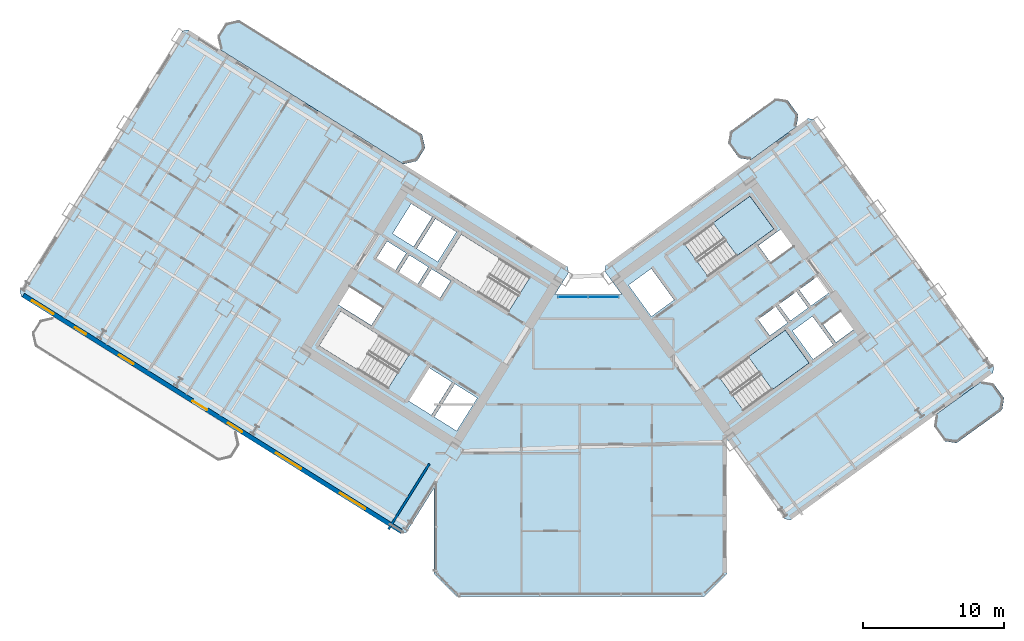
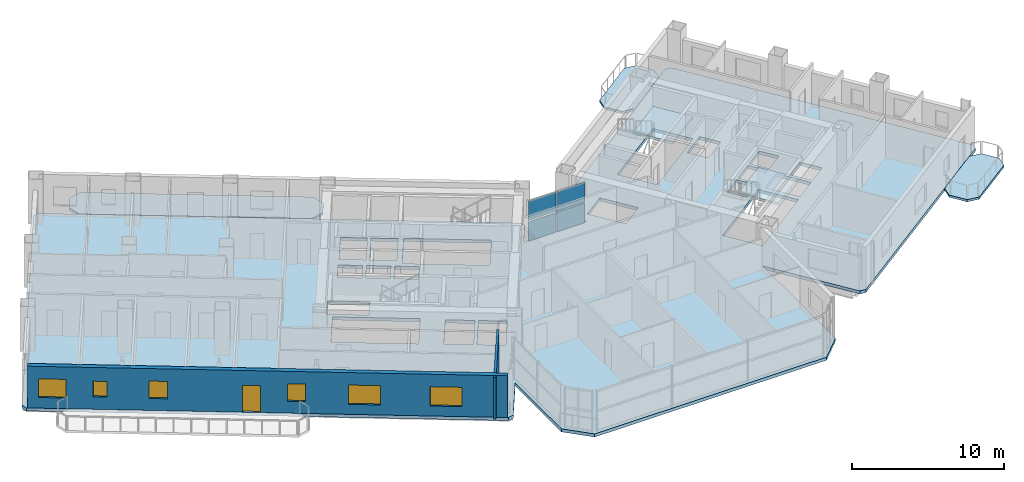
# One storey, part 14 of 24: 6 slabs, 6 windows, 4 plates, 2 walls, 1 door, 7 openings, 3 elements without a shape of their own.
"""IFC4 building model written with IfcOpenShell, lengths in metres."""

from ifc_helpers import new_model, si_unit, direction, frame, frame_2d, origin, origin_2d, place, context, subcontext, project, spatial, polyline, rectangle, outline, extrude, source, transform, mapped, material, layer, layer_set, type_object, element, fill, aggregate, save


model = new_model("IFC4")

# Units and contexts
model_context = context("Model", 3, precision=1e-05, world=origin(), true_north=direction((0.0, 1.0)))
body_context = subcontext(model_context, "Body", "Model", "MODEL_VIEW")
ifc_project = project(units=[si_unit("LENGTHUNIT", "METRE"), si_unit("AREAUNIT", "SQUARE_METRE"), si_unit("VOLUMEUNIT", "CUBIC_METRE"), si_unit("PLANEANGLEUNIT", "RADIAN"), si_unit("MASSUNIT", "GRAM", prefix="KILO")], contexts=[model_context])

# Site, building, storey
site_placement = place(None, origin())
site = spatial("IfcSite", under=ifc_project, at=site_placement, CompositionType="ELEMENT")
building_placement = place(site_placement, origin())
building = spatial("IfcBuilding", under=site, at=building_placement, Name="Tlacorven Tower", CompositionType="ELEMENT")
storey_placement = place(building_placement, frame((0.0, 0.0, 60.0)))
storey = spatial("IfcBuildingStorey", under=building, at=storey_placement, Name="L15", CompositionType="ELEMENT", Elevation=60.0)

# Slabs
ifc_material_1 = material(Name="Precast concrete C45/55", Category="concrete")
ifc_layer_1 = layer(ifc_material_1, 0.179931640625)
ifc_layer_set_1 = layer_set([ifc_layer_1], Name="Precast concrete C45/55")
slab_type_1 = type_object("IfcSlabType", Name="SL-BAL-180", PredefinedType="USERDEFINED", material=ifc_layer_set_1)
slab_1_placement = place(storey_placement, frame((0.0, 0.0, -0.179931640625)))
element("IfcSlab", 1, at=slab_1_placement, inside=storey, type_object=slab_type_1, Name="L15 West Wing Balcony Ribbon IN", ObjectType="BALCONY SLAB", PredefinedType="USERDEFINED", context=body_context, shape_type="SweptSolid", body=[
    extrude(outline(polyline([(30.756591796875, 34.57763671875), (17.781494140625, 42.685546875), (16.81689453125, 42.462890625), (16.236572265625, 41.5341796875), (16.459228515625, 40.569580078125), (29.434326171875, 32.4619140625), (30.39892578125, 32.6845703125), (30.979248046875, 33.613037109375), (30.756591796875, 34.57763671875)])), origin(), (0.0, 0.0, 1.0), 0.179931640625),
])
slab_2_placement = place(storey_placement, frame((0.0, 0.0, -0.179931640625)))
element("IfcSlab", 2, at=slab_2_placement, inside=storey, type_object=slab_type_1, Name="L15 East Wing Balcony Ribbon OUT", ObjectType="BALCONY SLAB", PredefinedType="USERDEFINED", context=body_context, shape_type="SweptSolid", body=[
    extrude(outline(polyline([(68.669921875, 12.678955078125), (71.906005859375, 15.0302734375), (72.03857421875, 15.8681640625), (71.27734375, 16.916015625), (70.439453125, 17.048583984375), (67.203369140625, 14.697509765625), (67.070556640625, 13.859375), (67.831787109375, 12.811767578125), (68.669921875, 12.678955078125)])), origin(), (0.0, 0.0, 1.0), 0.179931640625),
])
slab_3_placement = place(storey_placement, frame((0.0, 0.0, -0.179931640625)))
element("IfcSlab", 3, at=slab_3_placement, inside=storey, type_object=slab_type_1, Name="L15 East Wing Balcony Ribbon IN", ObjectType="BALCONY SLAB", PredefinedType="USERDEFINED", context=body_context, shape_type="SweptSolid", body=[
    extrude(outline(polyline([(54.078125, 32.762939453125), (57.314208984375, 35.114013671875), (57.44677734375, 35.9521484375), (56.685791015625, 36.999755859375), (55.84765625, 37.132568359375), (52.611572265625, 34.78125), (52.478759765625, 33.943359375), (53.239990234375, 32.8955078125), (54.078125, 32.762939453125)])), origin(), (0.0, 0.0, 1.0), 0.179931640625),
])

# Stair, slab
ifc_material_2 = material(Name="Concrete C40/50", Category="concrete")
stair_type = type_object("IfcStairType", Name="ST-CORE-DLG", PredefinedType="HALF_TURN_STAIR", material=ifc_material_2)
stair_1_placement = place(storey_placement, origin())
stair_1 = element("IfcStair", 4, at=stair_1_placement, inside=storey, type_object=stair_type, Name="L15 Protected Exit Stair East 1", PredefinedType="HALF_TURN_STAIR")
ifc_layer_2 = layer(ifc_material_2, 0.199951171875)
ifc_layer_set_2 = layer_set([ifc_layer_2], Name="Concrete C40/50")
slab_type_2 = type_object("IfcSlabType", Name="SL-LND-200", PredefinedType="LANDING", material=ifc_layer_set_2)
slab_4_placement = place(storey_placement, frame((0.0, 0.0, 1.60009765625)))
slab_4 = element("IfcSlab", 5, at=slab_4_placement, type_object=slab_type_2, Name="ST-E1 landing 1", PredefinedType="LANDING", context=body_context, shape_type="SweptSolid", body=[
    extrude(outline(polyline([(53.09765625, 25.962890625), (55.7109375, 27.861572265625), (54.01806640625, 30.19140625), (51.40478515625, 28.29296875), (53.09765625, 25.962890625)])), origin(), (0.0, 0.0, 1.0), 0.199951171875),
])
aggregate(stair_1, [slab_4])

stair_2_placement = place(storey_placement, origin())
stair_2 = element("IfcStair", 6, at=stair_2_placement, inside=storey, type_object=stair_type, Name="L15 Protected Exit Stair East 2", PredefinedType="HALF_TURN_STAIR")
slab_5_placement = place(storey_placement, frame((0.0, 0.0, 1.60009765625)))
slab_5 = element("IfcSlab", 7, at=slab_5_placement, type_object=slab_type_2, Name="ST-E2 landing 1", PredefinedType="LANDING", context=body_context, shape_type="SweptSolid", body=[
    extrude(outline(polyline([(55.601806640625, 16.4599609375), (58.21484375, 18.3583984375), (56.52197265625, 20.6884765625), (53.908935546875, 18.789794921875), (55.601806640625, 16.4599609375)])), origin(), (0.0, 0.0, 1.0), 0.199951171875),
])
aggregate(stair_2, [slab_5])

# Slab
ifc_layer_3 = layer(ifc_material_2, 0.25)
ifc_layer_set_3 = layer_set([ifc_layer_3], Name="Concrete C40/50")
slab_type_3 = type_object("IfcSlabType", Name="SL-TWR-250", PredefinedType="FLOOR", material=ifc_layer_set_3)
slab_6_placement = place(storey_placement, frame((0.0, 0.0, -0.25)))
element("IfcSlab", 8, at=slab_6_placement, inside=storey, type_object=slab_type_3, Name="L15 Boomerang Tower Floor Slab", PredefinedType="FLOOR", context=body_context, shape_type="SweptSolid", body=[
    extrude(outline(polyline([(52.39990234375, 3.39990234375), (50.800048828125, 1.800048828125), (33.199951171875, 1.800048828125), (31.60009765625, 3.39990234375), (31.60009765625, 9.470703125), (29.652587890625, 6.35400390625), (29.2392578125, 6.258544921875), (2.339111328125, 23.067626953125), (2.24365234375, 23.481201171875), (13.75341796875, 41.900634765625), (14.1669921875, 41.99609375), (41.06689453125, 25.18701171875), (41.162353515625, 24.773681640625), (40.178955078125, 23.199951171875), (44.932373046875, 23.199951171875), (43.723876953125, 24.86328125), (43.790283203125, 25.2822265625), (58.1259765625, 35.69775390625), (58.545166015625, 35.63134765625), (71.311767578125, 18.0595703125), (71.245361328125, 17.640380859375), (56.90966796875, 7.224853515625), (56.49072265625, 7.291259765625), (52.39990234375, 12.921630859375), (52.39990234375, 3.39990234375)]), holes=[polyline([(29.865478515625, 18.979736328125), (24.9892578125, 22.02685546875), (23.463134765625, 19.58447265625), (28.33935546875, 16.537353515625), (29.865478515625, 18.979736328125)]), polyline([(38.4169921875, 24.4375), (33.540771484375, 27.484375), (32.0146484375, 25.0419921875), (36.890869140625, 21.9951171875), (38.4169921875, 24.4375)]), polyline([(51.05908203125, 24.481689453125), (55.7109375, 27.861572265625), (54.01806640625, 30.19140625), (49.3662109375, 26.811767578125), (51.05908203125, 24.481689453125)]), polyline([(53.56298828125, 14.978759765625), (58.21484375, 18.3583984375), (56.52197265625, 20.6884765625), (51.8701171875, 17.30859375), (53.56298828125, 14.978759765625)]), polyline([(34.682373046875, 15.87548828125), (33.088134765625, 16.871826171875), (31.62548828125, 14.531005859375), (33.2197265625, 13.534912109375), (34.682373046875, 15.87548828125)]), polyline([(32.884521484375, 16.9990234375), (31.2392578125, 18.02685546875), (29.77685546875, 15.686279296875), (31.421875, 14.658203125), (32.884521484375, 16.9990234375)]), polyline([(47.0234375, 21.648681640625), (48.6416015625, 22.82421875), (47.019287109375, 25.05712890625), (45.401123046875, 23.881591796875), (47.0234375, 21.648681640625)]), polyline([(33.197265625, 27.65185546875), (31.704833984375, 28.58447265625), (30.3798828125, 26.46435546875), (31.87255859375, 25.53173828125), (33.197265625, 27.65185546875)]), polyline([(31.484375, 28.722412109375), (29.99169921875, 29.655029296875), (28.6669921875, 27.534912109375), (30.159423828125, 26.602294921875), (31.484375, 28.722412109375)]), polyline([(32.794921875, 24.17724609375), (31.43798828125, 25.025146484375), (30.685546875, 23.82080078125), (32.042236328125, 22.972900390625), (32.794921875, 24.17724609375)]), polyline([(31.217529296875, 25.162841796875), (29.860595703125, 26.0107421875), (29.108154296875, 24.806396484375), (30.465087890625, 23.958740234375), (31.217529296875, 25.162841796875)]), polyline([(29.64013671875, 26.1484375), (28.283203125, 26.996337890625), (27.53076171875, 25.792236328125), (28.8876953125, 24.9443359375), (29.64013671875, 26.1484375)]), polyline([(55.427734375, 20.288818359375), (56.68994140625, 21.205810546875), (55.855224609375, 22.354736328125), (54.59326171875, 21.437744140625), (55.427734375, 20.288818359375)]), polyline([(56.884033203125, 21.346923828125), (58.146240234375, 22.263916015625), (57.3115234375, 23.41259765625), (56.04931640625, 22.495849609375), (56.884033203125, 21.346923828125)]), polyline([(58.34033203125, 22.405029296875), (59.602294921875, 23.322021484375), (58.767578125, 24.470703125), (57.505615234375, 23.5537109375), (58.34033203125, 22.405029296875)]), polyline([(58.498779296875, 18.614013671875), (59.922607421875, 19.648681640625), (58.453125, 21.671142578125), (57.029296875, 20.63671875), (58.498779296875, 18.614013671875)]), polyline([(27.96142578125, 22.2919921875), (25.603759765625, 23.76513671875), (24.80908203125, 22.4931640625), (27.16650390625, 21.02001953125), (27.96142578125, 22.2919921875)]), polyline([(55.490478515625, 25.4765625), (57.092529296875, 26.640380859375), (56.210693359375, 27.85400390625), (54.60888671875, 26.690185546875), (55.490478515625, 25.4765625)]), polyline([(60.12109375, 19.817626953125), (61.38330078125, 20.734619140625), (60.45458984375, 22.012939453125), (59.192626953125, 21.095947265625), (60.12109375, 19.817626953125)])]), origin(), (0.0, 0.0, 1.0), 0.25),
])

# Curtain wall, plates
ifc_material_3 = material(Name="Dark solar low-E double glazing in aluminium frame", Category="aluminium")
curtain_wall_type = type_object("IfcCurtainWallType", Name="CW-TWR-LOW", PredefinedType="USERDEFINED", material=ifc_material_3)
curtain_wall_placement = place(storey_placement, origin())
curtain_wall = element("IfcCurtainWall", 9, at=curtain_wall_placement, inside=storey, type_object=curtain_wall_type, Name="L15 CW-TWR-LOW Curtain Wall 86", ObjectType="UNITISED CURTAIN WALL", PredefinedType="USERDEFINED")
ifc_material_4 = material(Name="Dark solar double low-E glazing", Category="glass")
ifc_layer_4 = layer(ifc_material_4, 0.031982421875)
ifc_layer_set_4 = layer_set([ifc_layer_4], Name="Dark solar double low-E glazing")
plate_type = type_object("IfcPlateType", Name="CWP-02", PredefinedType="CURTAIN_PANEL", material=ifc_layer_set_4)
shared_shape_1 = source(origin(), body_context, "Body", "SweptSolid", [
    extrude(rectangle(XDim=2.110595703125, YDim=0.031982421875, at=origin_2d()), origin(), (0.0, 0.0, 1.0), 1.552978515625),
])
plate_1_placement = place(storey_placement, frame((41.47802734375, 23.0400390625, 0.06103515625), z_axis=(0.0, 0.0, 1.0), x_axis=(1.0, 0.0, 0.0)))
plate_1 = element("IfcPlate", 10, at=plate_1_placement, type_object=plate_type, Name="CW-L15-086 Glazing Panel 1", PredefinedType="CURTAIN_PANEL", context=body_context, shape_type="MappedRepresentation", body=[
    mapped(shared_shape_1, transform((0.0, 0.0, 0.0), scale=1.0)),
])
plate_2_placement = place(storey_placement, frame((41.47802734375, 23.0400390625, 1.73583984375), z_axis=(0.0, 0.0, 1.0), x_axis=(1.0, 0.0, 0.0)))
plate_2 = element("IfcPlate", 11, at=plate_2_placement, type_object=plate_type, Name="CW-L15-086 Glazing Panel 2", PredefinedType="CURTAIN_PANEL", context=body_context, shape_type="MappedRepresentation", body=[
    mapped(shared_shape_1, transform((0.0, 0.0, 0.0), scale=1.0)),
])
plate_3_placement = place(storey_placement, frame((43.640625, 23.0400390625, 0.06103515625), z_axis=(0.0, 0.0, 1.0), x_axis=(1.0, 0.0, 0.0)))
plate_3 = element("IfcPlate", 12, at=plate_3_placement, type_object=plate_type, Name="CW-L15-086 Glazing Panel 3", PredefinedType="CURTAIN_PANEL", context=body_context, shape_type="MappedRepresentation", body=[
    mapped(shared_shape_1, transform((0.0, 0.0, 0.0), scale=1.0)),
])
plate_4_placement = place(storey_placement, frame((43.640625, 23.0400390625, 1.73583984375), z_axis=(0.0, 0.0, 1.0), x_axis=(1.0, 0.0, 0.0)))
plate_4 = element("IfcPlate", 13, at=plate_4_placement, type_object=plate_type, Name="CW-L15-086 Glazing Panel 4", PredefinedType="CURTAIN_PANEL", context=body_context, shape_type="MappedRepresentation", body=[
    mapped(shared_shape_1, transform((0.0, 0.0, 0.0), scale=1.0)),
])
aggregate(curtain_wall, [plate_1, plate_2, plate_3, plate_4])

# Wall
ifc_material_5 = material(Name="Gypsum plasterboard acoustic partition", Category="gypsum")
ifc_layer_5 = layer(ifc_material_5, 0.159912109375)
ifc_layer_set_5 = layer_set([ifc_layer_5], Name="Gypsum plasterboard acoustic partition")
wall_type_1 = type_object("IfcWallType", Name="WL-DEM-160", PredefinedType="PARTITIONING", material=ifc_layer_set_5)
wall_1_placement = place(storey_placement, frame((31.282470703125, 11.2080078125, 0.0), z_axis=(0.0, 0.0, 1.0), x_axis=(-0.529938869374, -0.84803584519, 0.0)))
element("IfcWall", 14, at=wall_1_placement, inside=storey, type_object=wall_type_1, Name="L15 WC West Throat Wall", PredefinedType="PARTITIONING", context=body_context, shape_type="SweptSolid", body=[
    extrude(rectangle(XDim=5.47998046875, YDim=0.159912109375, at=frame_2d((2.739990234375, 0.0))), origin(), (0.0, 0.0, 1.0), 3.340087890625),
])

# Wall, openings, door, windows
ifc_layer_6 = layer(ifc_material_1, 0.320068359375)
ifc_layer_set_6 = layer_set([ifc_layer_6], Name="Precast concrete C45/55")
wall_type_2 = type_object("IfcWallType", Name="WL-EXT-320", PredefinedType="STANDARD", material=ifc_layer_set_6)
wall_2_placement = place(storey_placement, frame((29.267822265625, 6.429443359375, 0.0), z_axis=(0.0, 0.0, 1.0), x_axis=(-0.848049971435, 0.529916263149, 0.0)))
wall_2 = element("IfcWall", 15, at=wall_2_placement, inside=storey, type_object=wall_type_2, Name="L15 Masonry-Frame Recessed Facade Wall 1", PredefinedType="STANDARD", context=body_context, shape_type="SweptSolid", body=[
    extrude(rectangle(XDim=31.587646484375, YDim=0.320068359375, at=frame_2d((15.7939453125, 0.0))), origin(), (0.0, 0.0, 1.0), 3.35009765625),
])
opening_1_placement = place(wall_2_placement, frame((16.234619140625, 0.0, 0.0)))
opening_1 = element("IfcOpeningElement", 16, at=opening_1_placement, cuts=wall_2, Name="Opening D05", PredefinedType="OPENING", context=body_context, shape_type="SweptSolid", body=[
    extrude(rectangle(XDim=1.199951171875, YDim=2.14990234375, at=frame_2d((0.60009765625, 1.074951171875))), frame((0.0, 0.169921875, 0.0), z_axis=(0.0, -1.0, 0.0), x_axis=(1.0, 0.0, 0.0)), (0.0, 0.0, 1.0), 0.340087890625),
])
opening_2_placement = place(wall_2_placement, frame((2.98876953125, 0.0, 0.800048828125)))
opening_2 = element("IfcOpeningElement", 17, at=opening_2_placement, cuts=wall_2, Name="Opening WN04", PredefinedType="OPENING", context=body_context, shape_type="SweptSolid", body=[
    extrude(rectangle(XDim=2.10009765625, YDim=1.550048828125, at=frame_2d((1.050048828125, 0.77490234375))), frame((0.0, 0.169921875, 0.0), z_axis=(0.0, -1.0, 0.0), x_axis=(1.0, 0.0, 0.0)), (0.0, 0.0, 1.0), 0.340087890625),
])
opening_3_placement = place(wall_2_placement, frame((8.358642578125, 0.0, 0.800048828125)))
opening_3 = element("IfcOpeningElement", 18, at=opening_3_placement, cuts=wall_2, Name="Opening WN04", PredefinedType="OPENING", context=body_context, shape_type="SweptSolid", body=[
    extrude(rectangle(XDim=2.10009765625, YDim=1.550048828125, at=frame_2d((1.050048828125, 0.77490234375))), frame((0.0, 0.169921875, 0.0), z_axis=(0.0, -1.0, 0.0), x_axis=(1.0, 0.0, 0.0)), (0.0, 0.0, 1.0), 0.340087890625),
])
opening_4_placement = place(wall_2_placement, frame((13.28369140625, 0.0, 0.949951171875)))
opening_4 = element("IfcOpeningElement", 19, at=opening_4_placement, cuts=wall_2, Name="Opening WN03", PredefinedType="OPENING", context=body_context, shape_type="SweptSolid", body=[
    extrude(rectangle(XDim=1.199951171875, YDim=1.39990234375, at=frame_2d((0.60009765625, 0.699951171875))), frame((0.0, 0.169921875, 0.0), z_axis=(0.0, -1.0, 0.0), x_axis=(1.0, 0.0, 0.0)), (0.0, 0.0, 1.0), 0.340087890625),
])
opening_5_placement = place(wall_2_placement, frame((22.374267578125, 0.0, 0.949951171875)))
opening_5 = element("IfcOpeningElement", 20, at=opening_5_placement, cuts=wall_2, Name="Opening WN03", PredefinedType="OPENING", context=body_context, shape_type="SweptSolid", body=[
    extrude(rectangle(XDim=1.199951171875, YDim=1.39990234375, at=frame_2d((0.60009765625, 0.699951171875))), frame((0.0, 0.169921875, 0.0), z_axis=(0.0, -1.0, 0.0), x_axis=(1.0, 0.0, 0.0)), (0.0, 0.0, 1.0), 0.340087890625),
])
opening_6_placement = place(wall_2_placement, frame((26.3505859375, 0.0, 1.0)))
opening_6 = element("IfcOpeningElement", 21, at=opening_6_placement, cuts=wall_2, Name="Opening WN05", PredefinedType="OPENING", context=body_context, shape_type="SweptSolid", body=[
    extrude(rectangle(XDim=0.89990234375, YDim=1.25, at=frame_2d((0.449951171875, 0.625))), frame((0.0, 0.169921875, 0.0), z_axis=(0.0, -1.0, 0.0), x_axis=(1.0, 0.0, 0.0)), (0.0, 0.0, 1.0), 0.340087890625),
])
opening_7_placement = place(wall_2_placement, frame((29.052490234375, 0.0, 0.85009765625)))
opening_7 = element("IfcOpeningElement", 22, at=opening_7_placement, cuts=wall_2, Name="Opening WN01", PredefinedType="OPENING", context=body_context, shape_type="SweptSolid", body=[
    extrude(rectangle(XDim=1.800048828125, YDim=1.5, at=frame_2d((0.89990234375, 0.75))), frame((0.0, 0.169921875, 0.0), z_axis=(0.0, -1.0, 0.0), x_axis=(1.0, 0.0, 0.0)), (0.0, 0.0, 1.0), 0.340087890625),
])
ifc_material_6 = material(Name="Powder-coated aluminium and timber door", Category="wood")
door_type = type_object("IfcDoorType", Name="DR-EXT-BALC-1200", OperationType="NOTDEFINED", PredefinedType="DOOR", material=ifc_material_6)
shared_shape_2 = source(origin(), body_context, "Body", "SweptSolid", [
    extrude(rectangle(XDim=1.199951171875, YDim=2.14990234375, at=frame_2d((0.60009765625, 1.074951171875))), frame((0.0, 0.02490234375, 0.0), z_axis=(0.0, -1.0, 0.0), x_axis=(1.0, 0.0, 0.0)), (0.0, 0.0, 1.0), 0.050048828125),
])
door_placement = place(opening_1_placement, origin())
door = element("IfcDoor", 23, at=door_placement, inside=storey, type_object=door_type, Name="L15 Outdoor Access Door BAL-L15-W-OUT", OperationType="SINGLE_SWING_LEFT", OverallHeight=2.14990234375, OverallWidth=1.199951171875, PredefinedType="DOOR", context=body_context, shape_type="MappedRepresentation", body=[
    mapped(shared_shape_2, transform((0.0, 0.0, 0.0), scale=1.0)),
])
fill(opening_1, door)
ifc_material_7 = material(Name="Dark solar low-E double glazing in anodised aluminium frame", Category="aluminium")
window_type_1 = type_object("IfcWindowType", Name="WN-APT-2100X1750", PartitioningType="SINGLE_PANEL", PredefinedType="WINDOW", material=ifc_material_7)
shared_shape_3 = source(origin(), body_context, "Body", "SweptSolid", [
    extrude(rectangle(XDim=2.10009765625, YDim=1.550048828125, at=frame_2d((1.050048828125, 0.77490234375))), frame((0.0, 0.030029296875, 0.0), z_axis=(0.0, -1.0, 0.0), x_axis=(1.0, 0.0, 0.0)), (0.0, 0.0, 1.0), 0.06005859375),
])
window_1_placement = place(opening_2_placement, origin())
window_1 = element("IfcWindow", 24, at=window_1_placement, inside=storey, type_object=window_type_1, Name="L15 Recessed Masonry-Frame Window L15-01.1", OverallHeight=1.550048828125, OverallWidth=2.10009765625, PartitioningType="SINGLE_PANEL", PredefinedType="WINDOW", context=body_context, shape_type="MappedRepresentation", body=[
    mapped(shared_shape_3, transform((0.0, 0.0, 0.0), scale=1.0)),
])
fill(opening_2, window_1)
window_2_placement = place(opening_3_placement, origin())
window_2 = element("IfcWindow", 25, at=window_2_placement, inside=storey, type_object=window_type_1, Name="L15 Recessed Masonry-Frame Window L15-01.2", OverallHeight=1.550048828125, OverallWidth=2.10009765625, PartitioningType="SINGLE_PANEL", PredefinedType="WINDOW", context=body_context, shape_type="MappedRepresentation", body=[
    mapped(shared_shape_3, transform((0.0, 0.0, 0.0), scale=1.0)),
])
fill(opening_3, window_2)
window_type_2 = type_object("IfcWindowType", Name="WN-APT-1200X1500", PartitioningType="SINGLE_PANEL", PredefinedType="WINDOW", material=ifc_material_7)
shared_shape_4 = source(origin(), body_context, "Body", "SweptSolid", [
    extrude(rectangle(XDim=1.199951171875, YDim=1.39990234375, at=frame_2d((0.60009765625, 0.699951171875))), frame((0.0, 0.030029296875, 0.0), z_axis=(0.0, -1.0, 0.0), x_axis=(1.0, 0.0, 0.0)), (0.0, 0.0, 1.0), 0.06005859375),
])
window_3_placement = place(opening_4_placement, origin())
window_3 = element("IfcWindow", 26, at=window_3_placement, inside=storey, type_object=window_type_2, Name="L15 Recessed Masonry-Frame Window L15-01.3", OverallHeight=1.39990234375, OverallWidth=1.199951171875, PartitioningType="SINGLE_PANEL", PredefinedType="WINDOW", context=body_context, shape_type="MappedRepresentation", body=[
    mapped(shared_shape_4, transform((0.0, 0.0, 0.0), scale=1.0)),
])
fill(opening_4, window_3)
window_4_placement = place(opening_5_placement, origin())
window_4 = element("IfcWindow", 27, at=window_4_placement, inside=storey, type_object=window_type_2, Name="L15 Recessed Masonry-Frame Window L15-01.4", OverallHeight=1.39990234375, OverallWidth=1.199951171875, PartitioningType="SINGLE_PANEL", PredefinedType="WINDOW", context=body_context, shape_type="MappedRepresentation", body=[
    mapped(shared_shape_4, transform((0.0, 0.0, 0.0), scale=1.0)),
])
fill(opening_5, window_4)
window_type_3 = type_object("IfcWindowType", Name="WN-APT-1800X1650", PartitioningType="SINGLE_PANEL", PredefinedType="WINDOW", material=ifc_material_7)
shared_shape_5 = source(origin(), body_context, "Body", "SweptSolid", [
    extrude(rectangle(XDim=1.800048828125, YDim=1.5, at=frame_2d((0.89990234375, 0.75))), frame((0.0, 0.030029296875, 0.0), z_axis=(0.0, -1.0, 0.0), x_axis=(1.0, 0.0, 0.0)), (0.0, 0.0, 1.0), 0.06005859375),
])
window_5_placement = place(opening_7_placement, origin())
window_5 = element("IfcWindow", 28, at=window_5_placement, inside=storey, type_object=window_type_3, Name="L15 Recessed Masonry-Frame Window L15-01.6", OverallHeight=1.5, OverallWidth=1.800048828125, PartitioningType="SINGLE_PANEL", PredefinedType="WINDOW", context=body_context, shape_type="MappedRepresentation", body=[
    mapped(shared_shape_5, transform((0.0, 0.0, 0.0), scale=1.0)),
])
fill(opening_7, window_5)
window_type_4 = type_object("IfcWindowType", Name="WN-APT-0900X1350", PartitioningType="SINGLE_PANEL", PredefinedType="WINDOW", material=ifc_material_7)
shared_shape_6 = source(origin(), body_context, "Body", "SweptSolid", [
    extrude(rectangle(XDim=0.89990234375, YDim=1.25, at=frame_2d((0.449951171875, 0.625))), frame((0.0, 0.030029296875, 0.0), z_axis=(0.0, -1.0, 0.0), x_axis=(1.0, 0.0, 0.0)), (0.0, 0.0, 1.0), 0.06005859375),
])
window_6_placement = place(opening_6_placement, origin())
window_6 = element("IfcWindow", 29, at=window_6_placement, inside=storey, type_object=window_type_4, Name="L15 Recessed Masonry-Frame Window L15-01.5", OverallHeight=1.25, OverallWidth=0.89990234375, PartitioningType="SINGLE_PANEL", PredefinedType="WINDOW", context=body_context, shape_type="MappedRepresentation", body=[
    mapped(shared_shape_6, transform((0.0, 0.0, 0.0), scale=1.0)),
])
fill(opening_6, window_6)

save(model, "model.ifc")
